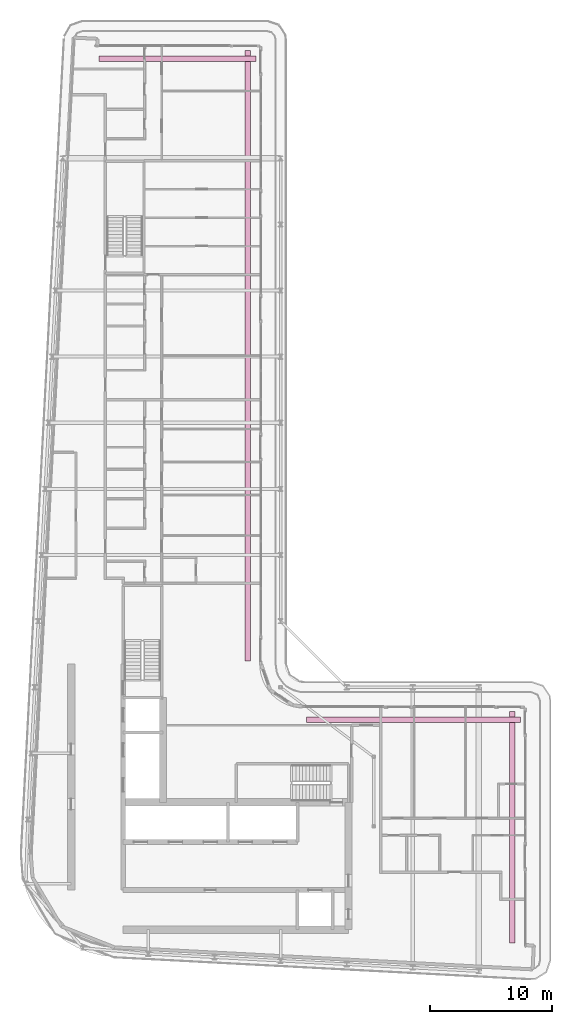
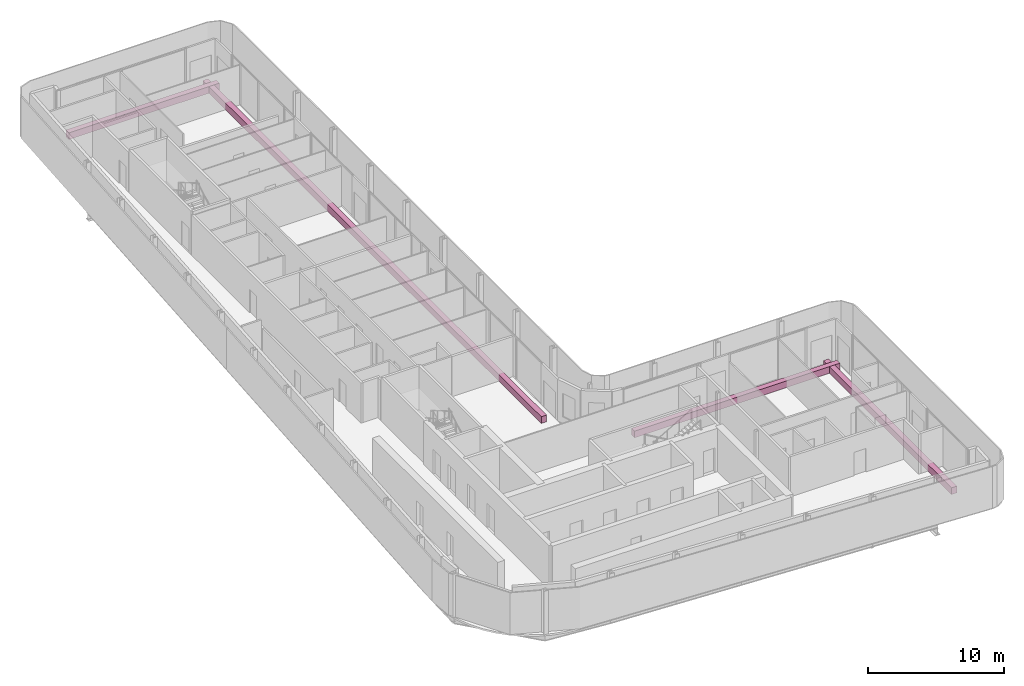
# One storey, part 21 of 21: 4 furniture elements.
"""IFC4 building model written with IfcOpenShell, lengths in metres."""

from ifc_helpers import new_model, si_unit, direction, frame, origin, origin_2d, place, context, subcontext, project, spatial, rectangle, extrude, material, type_object, element, save


model = new_model("IFC4")

# Units and contexts
model_context = context("Model", 3, precision=1e-05, world=origin(), true_north=direction((0.0, 1.0)))
body_context = subcontext(model_context, "Body", "Model", "MODEL_VIEW")
ifc_project = project(units=[si_unit("LENGTHUNIT", "METRE"), si_unit("AREAUNIT", "SQUARE_METRE"), si_unit("VOLUMEUNIT", "CUBIC_METRE"), si_unit("PLANEANGLEUNIT", "RADIAN"), si_unit("MASSUNIT", "GRAM", prefix="KILO")], contexts=[model_context])

# Site, building, storey
site_placement = place(None, origin())
site = spatial("IfcSite", under=ifc_project, at=site_placement, CompositionType="ELEMENT")
building_placement = place(site_placement, origin())
building = spatial("IfcBuilding", under=site, at=building_placement, Name="Kheshtan School and Residences Tower", CompositionType="ELEMENT")
storey_placement = place(building_placement, frame((0.0, 0.0, 305.89990234375)))
storey = spatial("IfcBuildingStorey", under=building, at=storey_placement, Name="L72", CompositionType="ELEMENT", Elevation=305.89990234375)

# Furniture
ifc_material = material(Name="Precast concrete C30/37 in terracotta finish", Category="masonry")
furniture_type = type_object("IfcFurnitureType", Name="Planter trough", AssemblyPlace="NOTDEFINED", PredefinedType="USERDEFINED", material=ifc_material)
furniture_1_placement = place(storey_placement, frame((39.196044921875, 96.925048828125, 0.0), z_axis=(0.0, 0.0, 1.0), x_axis=(1.0, 0.0, 0.0)))
element("IfcFurniture", 1, at=furniture_1_placement, inside=storey, type_object=furniture_type, Name="Planter L72", ObjectType="PLANTER", PredefinedType="USERDEFINED", context=body_context, shape_type="SweptSolid", body=[
    extrude(rectangle(XDim=12.80810546875, YDim=0.449951171875, at=origin_2d()), origin(), (0.0, 0.0, 1.0), 0.60009765625),
])
furniture_2_placement = place(storey_placement, frame((44.925048828125, 72.6650390625, 0.0), z_axis=(0.0, 0.0, 1.0), x_axis=(0.0, -1.0, 0.0)))
element("IfcFurniture", 2, at=furniture_2_placement, inside=storey, type_object=furniture_type, Name="Planter L72", ObjectType="PLANTER", PredefinedType="USERDEFINED", context=body_context, shape_type="SweptSolid", body=[
    extrude(rectangle(XDim=49.8701171875, YDim=0.449951171875, at=origin_2d()), origin(), (0.0, 0.0, 1.0), 0.60009765625),
])
furniture_3_placement = place(storey_placement, frame((58.465087890625, 42.925048828125, 0.0), z_axis=(0.0, 0.0, 1.0), x_axis=(1.0, 0.0, 0.0)))
element("IfcFurniture", 3, at=furniture_3_placement, inside=storey, type_object=furniture_type, Name="Planter L72", ObjectType="PLANTER", PredefinedType="USERDEFINED", context=body_context, shape_type="SweptSolid", body=[
    extrude(rectangle(XDim=17.469970703125, YDim=0.449951171875, at=origin_2d()), origin(), (0.0, 0.0, 1.0), 0.60009765625),
])
furniture_4_placement = place(storey_placement, frame((66.52490234375, 34.159912109375, 0.0), z_axis=(0.0, 0.0, 1.0), x_axis=(0.0, -1.0, 0.0)))
element("IfcFurniture", 4, at=furniture_4_placement, inside=storey, type_object=furniture_type, Name="Planter L72", ObjectType="PLANTER", PredefinedType="USERDEFINED", context=body_context, shape_type="SweptSolid", body=[
    extrude(rectangle(XDim=18.881103515625, YDim=0.449951171875, at=origin_2d()), origin(), (0.0, 0.0, 1.0), 0.60009765625),
])

save(model, "model.ifc")
